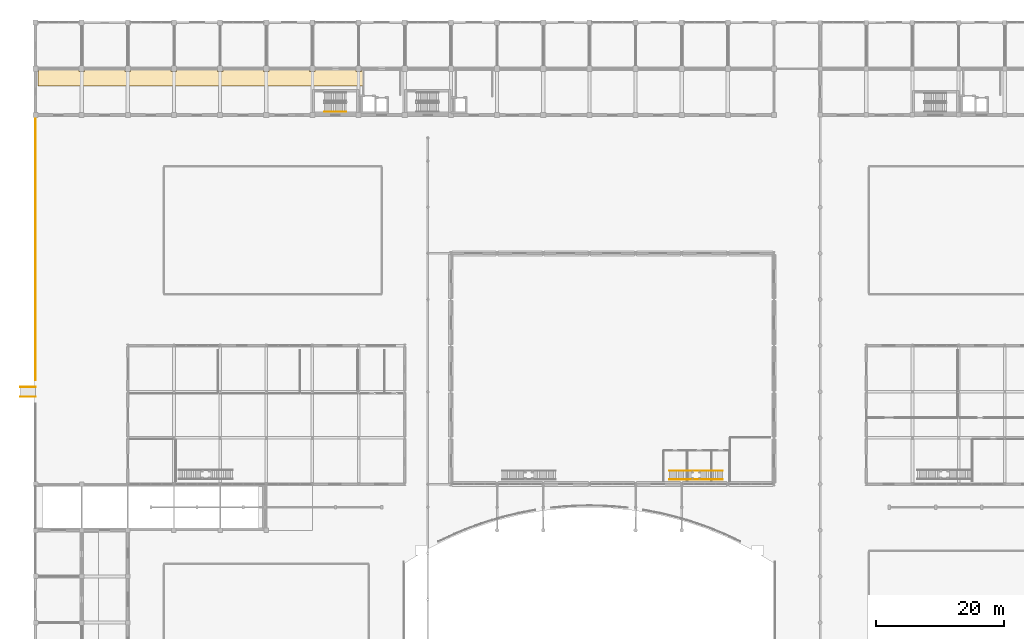
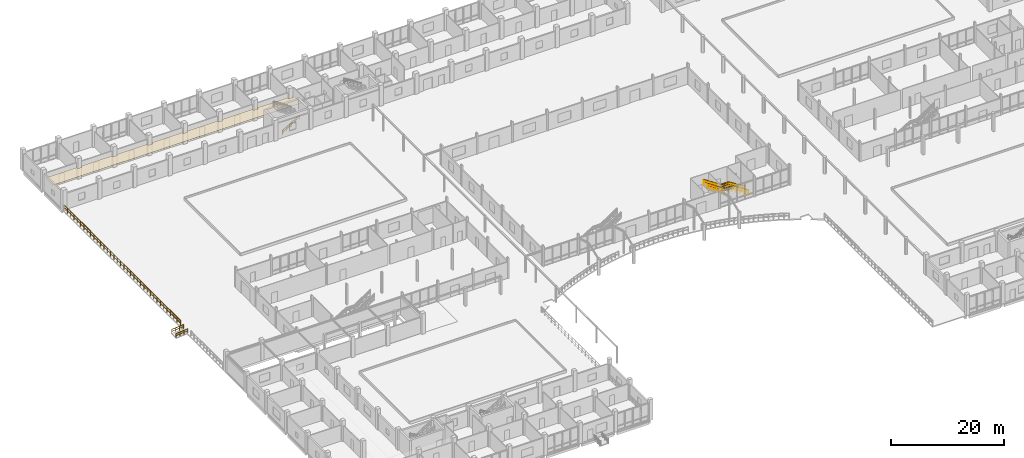
# One storey, part 133 of 139: 16 railings, 1 covering.
"""IFC4 building model written with IfcOpenShell, lengths in metres."""

import ifcopenshell
import ifcopenshell.guid

model = None  # the IFC model being written
_history = None  # IfcOwnerHistory: only IFC2X3 demands one
_inside = {}  # id of a spatial element -> (the spatial element, [elements in it])
_under = {}  # id of a project, library or spatial element -> (it, [spatial elements below it])
_declared = {}  # id of a project -> (the project, [libraries it declares])
_typed = {}  # id of a type object -> (the type object, [elements of that type])
_made_of = {}  # id of a material, layer set ... -> (it, [elements and type objects made of it])


def new_model(schema):
    """Start an empty IFC model of exactly this schema.

    Asked for "IFC4X3", IfcOpenShell would pick the latest addendum, in which some entities
    have other attributes; the version numbers below select the first issue.
    IFC2X3 requires an IfcOwnerHistory on every rooted entity: one is made here for all.
    """
    global model, _history
    if schema == "IFC4X3":
        model = ifcopenshell.file(schema_version=(4, 3, 0, 0))
    else:
        model = ifcopenshell.file(schema=schema)
    _inside.clear()
    _under.clear()
    _declared.clear()
    _typed.clear()
    _made_of.clear()
    _history = None
    if model.schema == "IFC2X3":
        org = make("IfcOrganization", Name="unknown")
        user = make(
            "IfcPersonAndOrganization",
            ThePerson=make("IfcPerson", FamilyName="unknown"),
            TheOrganization=org,
        )
        app = make(
            "IfcApplication",
            ApplicationDeveloper=org,
            Version="unknown",
            ApplicationFullName="unknown",
            ApplicationIdentifier="unknown",
        )
        _history = make(
            "IfcOwnerHistory",
            OwningUser=user,
            OwningApplication=app,
            ChangeAction="ADDED",
            CreationDate=0,
        )
    return model


def make(cls, **values):
    """One entity of the class cls with the attributes given. An attribute that is None is left unset."""
    return model.create_entity(
        cls, **{name: value for name, value in values.items() if value is not None}
    )


def rooted(cls, **values):
    """An entity with a GlobalId (a new one), such as an element, a storey or a relation."""
    return make(cls, GlobalId=ifcopenshell.guid.new(), OwnerHistory=_history, **values)


def si_unit(unit_type, name, prefix=None):
    """IfcSIUnit, for example si_unit("LENGTHUNIT", "METRE", prefix="MILLI")."""
    return make("IfcSIUnit", UnitType=unit_type, Prefix=prefix, Name=name)


def assignment(units):
    """IfcUnitAssignment: the units of a project."""
    return None if units is None else make("IfcUnitAssignment", Units=units)


def point(xyz):
    """IfcCartesianPoint."""
    return None if xyz is None else make("IfcCartesianPoint", Coordinates=xyz)


def direction(xyz):
    """IfcDirection."""
    return None if xyz is None else make("IfcDirection", DirectionRatios=xyz)


def frame(location, z_axis=None, x_axis=None):
    """IfcAxis2Placement3D, a coordinate frame: its origin and axes. An axis left out is left unset."""
    return make(
        "IfcAxis2Placement3D",
        Location=point(location),
        Axis=direction(z_axis),
        RefDirection=direction(x_axis),
    )


def frame_2d(location, x_axis=None):
    """IfcAxis2Placement2D, a coordinate frame in the plane: its origin and x axis."""
    return make(
        "IfcAxis2Placement2D", Location=point(location), RefDirection=direction(x_axis)
    )


def origin():
    """The frame at (0, 0, 0) with its axes left unset."""
    return frame((0.0, 0.0, 0.0))


def origin_2d():
    """The frame at (0, 0) in the plane with its x axis left unset."""
    return frame_2d((0.0, 0.0))


def place(relative_to, where):
    """IfcLocalPlacement: puts the frame where relative to a parent placement (None: the world)."""
    return make(
        "IfcLocalPlacement", PlacementRelTo=relative_to, RelativePlacement=where
    )


def context(
    kind, dimensions, precision=None, world=None, true_north=None, identifier=None
):
    """IfcGeometricRepresentationContext, for example the 3D "Model" context."""
    return make(
        "IfcGeometricRepresentationContext",
        ContextIdentifier=identifier,
        ContextType=kind,
        CoordinateSpaceDimension=dimensions,
        Precision=precision,
        WorldCoordinateSystem=world,
        TrueNorth=true_north,
    )


def subcontext(parent, identifier, kind, view, scale=None):
    """IfcGeometricRepresentationSubContext, for example "Body" below "Model"."""
    return make(
        "IfcGeometricRepresentationSubContext",
        ContextIdentifier=identifier,
        ContextType=kind,
        ParentContext=parent,
        TargetScale=scale,
        TargetView=view,
    )


def project(units=None, contexts=None):
    """IfcProject with its units and contexts."""
    return rooted(
        "IfcProject",
        Name="project",
        RepresentationContexts=contexts,
        UnitsInContext=assignment(units),
    )


def spatial(cls, under=None, at=None, **own):
    """A site, building, storey or space (cls), placed at a placement, below another one or the project."""
    s = rooted(cls, ObjectPlacement=at, **own)
    if under is not None:
        _under.setdefault(under.id(), (under, []))[1].append(s)
    return s


def polyline(points):
    """IfcPolyline through the points."""
    return make("IfcPolyline", Points=[point(p) for p in points])


def profile(cls, at=None, kind="AREA", **sizes):
    """A parametric profile (cls). Its sizes go by their IFC names, for example OverallWidth=200.0."""
    return make(cls, ProfileType=kind, Position=at, **sizes)


def rectangle(**sizes):
    """IfcRectangleProfileDef."""
    return profile("IfcRectangleProfileDef", **sizes)


def outline(outer, holes=None, kind="AREA"):
    """IfcArbitraryClosedProfileDef: a profile drawn as a closed curve; with holes, ...WithVoids."""
    if holes is None:
        return make("IfcArbitraryClosedProfileDef", ProfileType=kind, OuterCurve=outer)
    return make(
        "IfcArbitraryProfileDefWithVoids",
        ProfileType=kind,
        OuterCurve=outer,
        InnerCurves=holes,
    )


def extrude(swept, where, along, depth):
    """IfcExtrudedAreaSolid: the profile swept, set in the frame where, extruded along a direction by depth."""
    return make(
        "IfcExtrudedAreaSolid",
        SweptArea=swept,
        Position=where,
        ExtrudedDirection=direction(along),
        Depth=depth,
    )


def shape(context_of_items, identifier, shape_type, items):
    """IfcShapeRepresentation: the items that make up one representation, for example the "Body"."""
    return make(
        "IfcShapeRepresentation",
        ContextOfItems=context_of_items,
        RepresentationIdentifier=identifier,
        RepresentationType=shape_type,
        Items=items,
    )


def material(Name=None, Category=None):
    """IfcMaterial."""
    return make("IfcMaterial", Name=Name, Category=Category)


def layer(
    of_material, thickness, ventilated=None, Name=None, Category=None, Priority=None
):
    """IfcMaterialLayer: one layer of a wall or slab, of a material (None: an air gap)."""
    return make(
        "IfcMaterialLayer",
        Material=of_material,
        LayerThickness=thickness,
        IsVentilated=ventilated,
        Name=Name,
        Category=Category,
        Priority=Priority,
    )


def layer_set(layers, Name=None):
    """IfcMaterialLayerSet."""
    return make("IfcMaterialLayerSet", MaterialLayers=layers, LayerSetName=Name)


def made_of(thing, what):
    """Note that an element or type object is made of a material, layer set ...; save() writes the relation."""
    if what is not None:
        _made_of.setdefault(what.id(), (what, []))[1].append(thing)
    return thing


def type_object(cls, material=None, **own):
    """A type object (cls), such as IfcWallType, which elements share."""
    return made_of(rooted(cls, **own), material)


def element(
    cls,
    number,
    at=None,
    inside=None,
    cuts=None,
    type_object=None,
    material=None,
    context=None,
    identifier="Body",
    shape_type=None,
    held_by="IfcProductDefinitionShape",
    body=None,
    shapes=None,
    **own,
):
    """One element of the class cls, such as IfcWall. Its Tag is "e" and its number.

    at: its placement. inside: the storey or other place that contains it. cuts: it is an
    opening in that element (IfcRelVoidsElement). A single representation is given by context,
    identifier, shape_type and body (its items); several are given by shapes. held_by: the class
    of the entity that holds the representations. save() writes the other relations.
    """
    e = rooted(cls, Tag="e%d" % number, ObjectPlacement=at, **own)
    if body is not None:
        shapes = [shape(context, identifier, shape_type, body)]
    if shapes is not None:
        e.Representation = make(held_by, Representations=shapes)
    if inside is not None:
        _inside.setdefault(inside.id(), (inside, []))[1].append(e)
    if cuts is not None:
        rooted(
            "IfcRelVoidsElement", RelatingBuildingElement=cuts, RelatedOpeningElement=e
        )
    if type_object is not None:
        _typed.setdefault(type_object.id(), (type_object, []))[1].append(e)
    return made_of(e, material)


def aggregate(whole, parts):
    """IfcRelAggregates: a whole, such as a stair, and the parts it consists of."""
    return rooted("IfcRelAggregates", RelatingObject=whole, RelatedObjects=parts)


def save(model, path):
    """Write the relations noted so far, then the file.

    IfcRelAggregates (storeys below a building ...), IfcRelContainedInSpatialStructure (elements
    in a storey), IfcRelDefinesByType, IfcRelAssociatesMaterial and IfcRelDeclares: one each for
    every whole, place, type object, material and project.
    """
    for whole, parts in _under.values():
        aggregate(whole, parts)
    for where, things in _inside.values():
        rooted(
            "IfcRelContainedInSpatialStructure",
            RelatedElements=things,
            RelatingStructure=where,
        )
    for kind, things in _typed.values():
        rooted("IfcRelDefinesByType", RelatedObjects=things, RelatingType=kind)
    for what, things in _made_of.values():
        rooted("IfcRelAssociatesMaterial", RelatedObjects=things, RelatingMaterial=what)
    for by, libraries in _declared.values():
        rooted("IfcRelDeclares", RelatingContext=by, RelatedDefinitions=libraries)
    model.write(path)


model = new_model("IFC4")

# Units and contexts
model_context = context("Model", 3, precision=1e-05, world=origin(), true_north=direction((0.0, 1.0)))
body_context = subcontext(model_context, "Body", "Model", "MODEL_VIEW")
ifc_project = project(units=[si_unit("LENGTHUNIT", "METRE"), si_unit("AREAUNIT", "SQUARE_METRE"), si_unit("VOLUMEUNIT", "CUBIC_METRE"), si_unit("PLANEANGLEUNIT", "RADIAN"), si_unit("MASSUNIT", "GRAM", prefix="KILO")], contexts=[model_context])

# Site, building, storey
site_placement = place(None, origin())
site = spatial("IfcSite", under=ifc_project, at=site_placement, CompositionType="ELEMENT")
building_placement = place(site_placement, origin())
building = spatial("IfcBuilding", under=site, at=building_placement, Name="Suanplinth Sawtooth Commons", CompositionType="ELEMENT")
storey_placement = place(building_placement, origin())
storey = spatial("IfcBuildingStorey", under=building, at=storey_placement, Name="L00", CompositionType="ELEMENT", Elevation=0.0)

# Covering
ifc_material_1 = material(Name="Mineral fibre acoustic tile")
ifc_layer = layer(ifc_material_1, 0.0400390625, Name="Perforated mineral-fibre acoustic suspended ceiling")
ifc_layer_set = layer_set([ifc_layer], Name="Mineral fibre acoustic tile")
covering_type = type_object("IfcCoveringType", Name="CV-CE01", PredefinedType="CEILING", material=ifc_layer_set)
covering_placement = place(storey_placement, frame((0.0, 0.0, 2.3798828125)))
element("IfcCovering", 1, at=covering_placement, inside=storey, type_object=covering_type, Name="L00 Block A Corridor Acoustic Ceiling", PredefinedType="CEILING", context=body_context, shape_type="SweptSolid", body=[
    extrude(outline(polyline([(0.360107421875, 112.5), (0.360107421875, 114.77001953125), (0.429931640625, 114.77001953125), (0.429931640625, 115.1201171875), (6.77001953125, 115.1201171875), (6.77001953125, 114.77001953125), (7.6298828125, 114.77001953125), (7.6298828125, 115.1201171875), (13.969970703125, 115.1201171875), (13.969970703125, 114.77001953125), (14.830078125, 114.77001953125), (14.830078125, 115.1201171875), (21.169921875, 115.1201171875), (21.169921875, 114.77001953125), (22.030029296875, 114.77001953125), (22.030029296875, 115.1201171875), (28.3701171875, 115.1201171875), (28.3701171875, 114.77001953125), (29.22998046875, 114.77001953125), (29.22998046875, 115.1201171875), (35.570068359375, 115.1201171875), (35.570068359375, 114.77001953125), (36.429931640625, 114.77001953125), (36.429931640625, 115.1201171875), (42.77001953125, 115.1201171875), (42.77001953125, 114.77001953125), (43.6298828125, 114.77001953125), (43.6298828125, 115.1201171875), (49.969970703125, 115.1201171875), (49.969970703125, 114.77001953125), (50.830078125, 114.77001953125), (50.830078125, 115.1201171875), (51.080078125, 115.1201171875), (51.080078125, 112.5), (0.360107421875, 112.5)])), origin(), (0.0, 0.0, 1.0), 0.0400390625),
])

# Railings
ifc_material_2 = material(Name="Powder-coated galvanized steel", Category="steel")
railing_type_1 = type_object("IfcRailingType", Name="GR-01", PredefinedType="BALUSTRADE", material=ifc_material_2)
railing_1_placement = place(storey_placement, frame((0.0, 66.64990234375, 0.0)))
element("IfcRailing", 2, at=railing_1_placement, inside=storey, type_object=railing_type_1, Name="Perimeter Plinth Balustrade RLG-PLZ-W3", PredefinedType="BALUSTRADE", context=body_context, shape_type="SweptSolid", body=[
    extrude(rectangle(XDim=0.048095703125, YDim=0.048095703125, at=origin_2d()), frame((0.0, 0.0, 1.09619140625), z_axis=(0.0, 1.0, 0.0), x_axis=(-1.0, 0.0, 0.0)), (0.0, 0.0, 1.0), 41.25),
    extrude(rectangle(XDim=0.03369140625, YDim=0.03369140625, at=origin_2d()), frame((0.0, 0.0, 0.56005859375), z_axis=(0.0, 1.0, 0.0), x_axis=(-1.0, 0.0, 0.0)), (0.0, 0.0, 1.0), 41.25),
    extrude(rectangle(XDim=0.0419921875, YDim=0.0419921875, at=origin_2d()), origin(), (0.0, 0.0, 1.0), 1.072021484375),
    extrude(rectangle(XDim=0.0419921875, YDim=0.0419921875, at=origin_2d()), frame((0.0, 1.178466796875, 0.0)), (0.0, 0.0, 1.0), 1.072021484375),
    extrude(rectangle(XDim=0.0419921875, YDim=0.0419921875, at=origin_2d()), frame((0.0, 2.357177734375, 0.0)), (0.0, 0.0, 1.0), 1.072021484375),
    extrude(rectangle(XDim=0.0419921875, YDim=0.0419921875, at=origin_2d()), frame((0.0, 3.53564453125, 0.0)), (0.0, 0.0, 1.0), 1.072021484375),
    extrude(rectangle(XDim=0.0419921875, YDim=0.0419921875, at=origin_2d()), frame((0.0, 4.71435546875, 0.0)), (0.0, 0.0, 1.0), 1.072021484375),
    extrude(rectangle(XDim=0.0419921875, YDim=0.0419921875, at=origin_2d()), frame((0.0, 5.892822265625, 0.0)), (0.0, 0.0, 1.0), 1.072021484375),
    extrude(rectangle(XDim=0.0419921875, YDim=0.0419921875, at=origin_2d()), frame((0.0, 7.071533203125, 0.0)), (0.0, 0.0, 1.0), 1.072021484375),
    extrude(rectangle(XDim=0.0419921875, YDim=0.0419921875, at=origin_2d()), frame((0.0, 8.25, 0.0)), (0.0, 0.0, 1.0), 1.072021484375),
    extrude(rectangle(XDim=0.0419921875, YDim=0.0419921875, at=origin_2d()), frame((0.0, 9.428466796875, 0.0)), (0.0, 0.0, 1.0), 1.072021484375),
    extrude(rectangle(XDim=0.0419921875, YDim=0.0419921875, at=origin_2d()), frame((0.0, 10.607177734375, 0.0)), (0.0, 0.0, 1.0), 1.072021484375),
    extrude(rectangle(XDim=0.0419921875, YDim=0.0419921875, at=origin_2d()), frame((0.0, 11.78564453125, 0.0)), (0.0, 0.0, 1.0), 1.072021484375),
    extrude(rectangle(XDim=0.0419921875, YDim=0.0419921875, at=origin_2d()), frame((0.0, 12.96435546875, 0.0)), (0.0, 0.0, 1.0), 1.072021484375),
    extrude(rectangle(XDim=0.0419921875, YDim=0.0419921875, at=origin_2d()), frame((0.0, 14.142822265625, 0.0)), (0.0, 0.0, 1.0), 1.072021484375),
    extrude(rectangle(XDim=0.0419921875, YDim=0.0419921875, at=origin_2d()), frame((0.0, 15.321533203125, 0.0)), (0.0, 0.0, 1.0), 1.072021484375),
    extrude(rectangle(XDim=0.0419921875, YDim=0.0419921875, at=origin_2d()), frame((0.0, 16.5, 0.0)), (0.0, 0.0, 1.0), 1.072021484375),
    extrude(rectangle(XDim=0.0419921875, YDim=0.0419921875, at=origin_2d()), frame((0.0, 17.678466796875, 0.0)), (0.0, 0.0, 1.0), 1.072021484375),
    extrude(rectangle(XDim=0.0419921875, YDim=0.0419921875, at=origin_2d()), frame((0.0, 18.857177734375, 0.0)), (0.0, 0.0, 1.0), 1.072021484375),
    extrude(rectangle(XDim=0.0419921875, YDim=0.0419921875, at=origin_2d()), frame((0.0, 20.03564453125, 0.0)), (0.0, 0.0, 1.0), 1.072021484375),
    extrude(rectangle(XDim=0.0419921875, YDim=0.0419921875, at=origin_2d()), frame((0.0, 21.21435546875, 0.0)), (0.0, 0.0, 1.0), 1.072021484375),
    extrude(rectangle(XDim=0.0419921875, YDim=0.0419921875, at=origin_2d()), frame((0.0, 22.392822265625, 0.0)), (0.0, 0.0, 1.0), 1.072021484375),
    extrude(rectangle(XDim=0.0419921875, YDim=0.0419921875, at=origin_2d()), frame((0.0, 23.571533203125, 0.0)), (0.0, 0.0, 1.0), 1.072021484375),
    extrude(rectangle(XDim=0.0419921875, YDim=0.0419921875, at=origin_2d()), frame((0.0, 24.75, 0.0)), (0.0, 0.0, 1.0), 1.072021484375),
    extrude(rectangle(XDim=0.0419921875, YDim=0.0419921875, at=origin_2d()), frame((0.0, 25.928466796875, 0.0)), (0.0, 0.0, 1.0), 1.072021484375),
    extrude(rectangle(XDim=0.0419921875, YDim=0.0419921875, at=origin_2d()), frame((0.0, 27.107177734375, 0.0)), (0.0, 0.0, 1.0), 1.072021484375),
    extrude(rectangle(XDim=0.0419921875, YDim=0.0419921875, at=origin_2d()), frame((0.0, 28.28564453125, 0.0)), (0.0, 0.0, 1.0), 1.072021484375),
    extrude(rectangle(XDim=0.0419921875, YDim=0.0419921875, at=origin_2d()), frame((0.0, 29.46435546875, 0.0)), (0.0, 0.0, 1.0), 1.072021484375),
    extrude(rectangle(XDim=0.0419921875, YDim=0.0419921875, at=origin_2d()), frame((0.0, 30.642822265625, 0.0)), (0.0, 0.0, 1.0), 1.072021484375),
    extrude(rectangle(XDim=0.0419921875, YDim=0.0419921875, at=origin_2d()), frame((0.0, 31.821533203125, 0.0)), (0.0, 0.0, 1.0), 1.072021484375),
    extrude(rectangle(XDim=0.0419921875, YDim=0.0419921875, at=origin_2d()), frame((0.0, 33.0, 0.0)), (0.0, 0.0, 1.0), 1.072021484375),
    extrude(rectangle(XDim=0.0419921875, YDim=0.0419921875, at=origin_2d()), frame((0.0, 34.178466796875, 0.0)), (0.0, 0.0, 1.0), 1.072021484375),
    extrude(rectangle(XDim=0.0419921875, YDim=0.0419921875, at=origin_2d()), frame((0.0, 35.357177734375, 0.0)), (0.0, 0.0, 1.0), 1.072021484375),
    extrude(rectangle(XDim=0.0419921875, YDim=0.0419921875, at=origin_2d()), frame((0.0, 36.53564453125, 0.0)), (0.0, 0.0, 1.0), 1.072021484375),
    extrude(rectangle(XDim=0.0419921875, YDim=0.0419921875, at=origin_2d()), frame((0.0, 37.71435546875, 0.0)), (0.0, 0.0, 1.0), 1.072021484375),
    extrude(rectangle(XDim=0.0419921875, YDim=0.0419921875, at=origin_2d()), frame((0.0, 38.892822265625, 0.0)), (0.0, 0.0, 1.0), 1.072021484375),
    extrude(rectangle(XDim=0.0419921875, YDim=0.0419921875, at=origin_2d()), frame((0.0, 40.071533203125, 0.0)), (0.0, 0.0, 1.0), 1.072021484375),
    extrude(rectangle(XDim=0.0419921875, YDim=0.0419921875, at=origin_2d()), frame((0.0, 41.25, 0.0)), (0.0, 0.0, 1.0), 1.072021484375),
])
ifc_material_3 = material(Name="Stainless steel Grade 304", Category="steel")
railing_type_2 = type_object("IfcRailingType", Name="GR-04", PredefinedType="GUARDRAIL", material=ifc_material_3)
railing_2_placement = place(storey_placement, frame((107.199951171875, 51.10009765625, 0.173095703125)))
element("IfcRailing", 3, at=railing_2_placement, inside=storey, type_object=railing_type_2, Name="Community Hall East Gallery Stair Guard 1-1", PredefinedType="GUARDRAIL", context=body_context, shape_type="SweptSolid", body=[
    extrude(rectangle(XDim=0.048095703125, YDim=0.048095703125, at=origin_2d()), frame((0.0, 0.0, 1.076171875), z_axis=(-0.850606129759, 0.0, 0.525803396734), x_axis=(0.0, -1.0, 0.0)), (0.0, 0.0, 1.0), 3.949951171875),
    extrude(rectangle(XDim=0.03369140625, YDim=0.03369140625, at=origin_2d()), frame((0.0, 0.0, 0.550048828125), z_axis=(-0.850606129759, 0.0, 0.525803396734), x_axis=(0.0, -1.0, 0.0)), (0.0, 0.0, 1.0), 3.949951171875),
    extrude(rectangle(XDim=0.0419921875, YDim=0.0419921875, at=origin_2d()), origin(), (0.0, 0.0, 1.0), 1.052001953125),
    extrude(rectangle(XDim=0.0419921875, YDim=0.0419921875, at=origin_2d()), frame((-0.83984375, 0.0, 0.519287109375)), (0.0, 0.0, 1.0), 1.052001953125),
    extrude(rectangle(XDim=0.0419921875, YDim=0.0419921875, at=origin_2d()), frame((-1.679931640625, 0.0, 1.03857421875)), (0.0, 0.0, 1.0), 1.052001953125),
    extrude(rectangle(XDim=0.0419921875, YDim=0.0419921875, at=origin_2d()), frame((-2.52001953125, 0.0, 1.5576171875)), (0.0, 0.0, 1.0), 1.052001953125),
    extrude(rectangle(XDim=0.0419921875, YDim=0.0419921875, at=origin_2d()), frame((-3.35986328125, 0.0, 2.076904296875)), (0.0, 0.0, 1.0), 1.052001953125),
])
railing_3_placement = place(storey_placement, frame((103.840087890625, 51.10009765625, 2.25)))
element("IfcRailing", 4, at=railing_3_placement, inside=storey, type_object=railing_type_2, Name="Community Hall East Gallery Stair Guard 1-2", PredefinedType="GUARDRAIL", context=body_context, shape_type="SweptSolid", body=[
    extrude(rectangle(XDim=0.048095703125, YDim=0.048095703125, at=origin_2d()), frame((0.0, 0.0, 1.076171875), z_axis=(-1.0, 0.0, 0.0), x_axis=(0.0, -1.0, 0.0)), (0.0, 0.0, 1.0), 1.60009765625),
    extrude(rectangle(XDim=0.03369140625, YDim=0.03369140625, at=origin_2d()), frame((0.0, 0.0, 0.550048828125), z_axis=(-1.0, 0.0, 0.0), x_axis=(0.0, -1.0, 0.0)), (0.0, 0.0, 1.0), 1.60009765625),
    extrude(rectangle(XDim=0.0419921875, YDim=0.0419921875, at=origin_2d()), origin(), (0.0, 0.0, 1.0), 1.052001953125),
    extrude(rectangle(XDim=0.0419921875, YDim=0.0419921875, at=origin_2d()), frame((-0.800048828125, 0.0, 0.0)), (0.0, 0.0, 1.0), 1.052001953125),
    extrude(rectangle(XDim=0.0419921875, YDim=0.0419921875, at=origin_2d()), frame((-1.60009765625, 0.0, 0.0)), (0.0, 0.0, 1.0), 1.052001953125),
])
railing_4_placement = place(storey_placement, frame((102.239990234375, 51.10009765625, 2.25)))
element("IfcRailing", 5, at=railing_4_placement, inside=storey, type_object=railing_type_2, Name="Community Hall East Gallery Stair Guard 1-3", PredefinedType="GUARDRAIL", context=body_context, shape_type="SweptSolid", body=[
    extrude(rectangle(XDim=0.048095703125, YDim=0.048095703125, at=origin_2d()), frame((0.0, 0.0, 1.076171875), z_axis=(-0.830915400975, 0.0, 0.556398774641), x_axis=(0.0, -1.0, 0.0)), (0.0, 0.0, 1.0), 4.0439453125),
    extrude(rectangle(XDim=0.03369140625, YDim=0.03369140625, at=origin_2d()), frame((0.0, 0.0, 0.550048828125), z_axis=(-0.830915400975, 0.0, 0.556398774641), x_axis=(0.0, -1.0, 0.0)), (0.0, 0.0, 1.0), 4.0439453125),
    extrude(rectangle(XDim=0.0419921875, YDim=0.0419921875, at=origin_2d()), origin(), (0.0, 0.0, 1.0), 1.052001953125),
    extrude(rectangle(XDim=0.0419921875, YDim=0.0419921875, at=origin_2d()), frame((-0.840087890625, 0.0, 0.5625)), (0.0, 0.0, 1.0), 1.052001953125),
    extrude(rectangle(XDim=0.0419921875, YDim=0.0419921875, at=origin_2d()), frame((-1.68017578125, 0.0, 1.125)), (0.0, 0.0, 1.0), 1.052001953125),
    extrude(rectangle(XDim=0.0419921875, YDim=0.0419921875, at=origin_2d()), frame((-2.52001953125, 0.0, 1.6875)), (0.0, 0.0, 1.0), 1.052001953125),
    extrude(rectangle(XDim=0.0419921875, YDim=0.0419921875, at=origin_2d()), frame((-3.360107421875, 0.0, 2.25)), (0.0, 0.0, 1.0), 1.052001953125),
])
railing_5_placement = place(storey_placement, frame((107.199951171875, 52.5, 0.173095703125)))
element("IfcRailing", 6, at=railing_5_placement, inside=storey, type_object=railing_type_2, Name="Community Hall East Gallery Stair Guard 2-1", PredefinedType="GUARDRAIL", context=body_context, shape_type="SweptSolid", body=[
    extrude(rectangle(XDim=0.048095703125, YDim=0.048095703125, at=origin_2d()), frame((0.0, 0.0, 1.076171875), z_axis=(-0.850606129759, 0.0, 0.525803396734), x_axis=(0.0, -1.0, 0.0)), (0.0, 0.0, 1.0), 3.949951171875),
    extrude(rectangle(XDim=0.03369140625, YDim=0.03369140625, at=origin_2d()), frame((0.0, 0.0, 0.550048828125), z_axis=(-0.850606129759, 0.0, 0.525803396734), x_axis=(0.0, -1.0, 0.0)), (0.0, 0.0, 1.0), 3.949951171875),
    extrude(rectangle(XDim=0.0419921875, YDim=0.0419921875, at=origin_2d()), origin(), (0.0, 0.0, 1.0), 1.052001953125),
    extrude(rectangle(XDim=0.0419921875, YDim=0.0419921875, at=origin_2d()), frame((-0.83984375, 0.0, 0.519287109375)), (0.0, 0.0, 1.0), 1.052001953125),
    extrude(rectangle(XDim=0.0419921875, YDim=0.0419921875, at=origin_2d()), frame((-1.679931640625, 0.0, 1.03857421875)), (0.0, 0.0, 1.0), 1.052001953125),
    extrude(rectangle(XDim=0.0419921875, YDim=0.0419921875, at=origin_2d()), frame((-2.52001953125, 0.0, 1.5576171875)), (0.0, 0.0, 1.0), 1.052001953125),
    extrude(rectangle(XDim=0.0419921875, YDim=0.0419921875, at=origin_2d()), frame((-3.35986328125, 0.0, 2.076904296875)), (0.0, 0.0, 1.0), 1.052001953125),
])
railing_6_placement = place(storey_placement, frame((103.840087890625, 52.5, 2.25)))
element("IfcRailing", 7, at=railing_6_placement, inside=storey, type_object=railing_type_2, Name="Community Hall East Gallery Stair Guard 2-2", PredefinedType="GUARDRAIL", context=body_context, shape_type="SweptSolid", body=[
    extrude(rectangle(XDim=0.048095703125, YDim=0.048095703125, at=origin_2d()), frame((0.0, 0.0, 1.076171875), z_axis=(-1.0, 0.0, 0.0), x_axis=(0.0, -1.0, 0.0)), (0.0, 0.0, 1.0), 1.60009765625),
    extrude(rectangle(XDim=0.03369140625, YDim=0.03369140625, at=origin_2d()), frame((0.0, 0.0, 0.550048828125), z_axis=(-1.0, 0.0, 0.0), x_axis=(0.0, -1.0, 0.0)), (0.0, 0.0, 1.0), 1.60009765625),
    extrude(rectangle(XDim=0.0419921875, YDim=0.0419921875, at=origin_2d()), origin(), (0.0, 0.0, 1.0), 1.052001953125),
    extrude(rectangle(XDim=0.0419921875, YDim=0.0419921875, at=origin_2d()), frame((-0.800048828125, 0.0, 0.0)), (0.0, 0.0, 1.0), 1.052001953125),
    extrude(rectangle(XDim=0.0419921875, YDim=0.0419921875, at=origin_2d()), frame((-1.60009765625, 0.0, 0.0)), (0.0, 0.0, 1.0), 1.052001953125),
])
railing_7_placement = place(storey_placement, frame((102.239990234375, 52.5, 2.25)))
element("IfcRailing", 8, at=railing_7_placement, inside=storey, type_object=railing_type_2, Name="Community Hall East Gallery Stair Guard 2-3", PredefinedType="GUARDRAIL", context=body_context, shape_type="SweptSolid", body=[
    extrude(rectangle(XDim=0.048095703125, YDim=0.048095703125, at=origin_2d()), frame((0.0, 0.0, 1.076171875), z_axis=(-0.830915400975, 0.0, 0.556398774641), x_axis=(0.0, -1.0, 0.0)), (0.0, 0.0, 1.0), 4.0439453125),
    extrude(rectangle(XDim=0.03369140625, YDim=0.03369140625, at=origin_2d()), frame((0.0, 0.0, 0.550048828125), z_axis=(-0.830915400975, 0.0, 0.556398774641), x_axis=(0.0, -1.0, 0.0)), (0.0, 0.0, 1.0), 4.0439453125),
    extrude(rectangle(XDim=0.0419921875, YDim=0.0419921875, at=origin_2d()), origin(), (0.0, 0.0, 1.0), 1.052001953125),
    extrude(rectangle(XDim=0.0419921875, YDim=0.0419921875, at=origin_2d()), frame((-0.840087890625, 0.0, 0.5625)), (0.0, 0.0, 1.0), 1.052001953125),
    extrude(rectangle(XDim=0.0419921875, YDim=0.0419921875, at=origin_2d()), frame((-1.68017578125, 0.0, 1.125)), (0.0, 0.0, 1.0), 1.052001953125),
    extrude(rectangle(XDim=0.0419921875, YDim=0.0419921875, at=origin_2d()), frame((-2.52001953125, 0.0, 1.6875)), (0.0, 0.0, 1.0), 1.052001953125),
    extrude(rectangle(XDim=0.0419921875, YDim=0.0419921875, at=origin_2d()), frame((-3.360107421875, 0.0, 2.25)), (0.0, 0.0, 1.0), 1.052001953125),
])
railing_type_3 = type_object("IfcRailingType", Name="HR-01", PredefinedType="HANDRAIL", material=ifc_material_3)
railing_8_placement = place(storey_placement, frame((45.050048828125, 108.5, 0.173095703125)))
element("IfcRailing", 9, at=railing_8_placement, inside=storey, type_object=railing_type_3, Name="L00 ST-N1 Handrail 1", PredefinedType="HANDRAIL", context=body_context, shape_type="SweptSolid", body=[
    extrude(rectangle(XDim=0.048095703125, YDim=0.048095703125, at=origin_2d()), frame((0.0, 0.0, 0.8759765625), z_axis=(0.854729506542, 0.0, 0.519073665916), x_axis=(0.0, 1.0, 0.0)), (0.0, 0.0, 1.0), 4.001220703125),
    extrude(rectangle(XDim=0.03369140625, YDim=0.03369140625, at=origin_2d()), frame((0.0, 0.0, 0.449951171875), z_axis=(0.854729506542, 0.0, 0.519073665916), x_axis=(0.0, 1.0, 0.0)), (0.0, 0.0, 1.0), 4.001220703125),
    extrude(rectangle(XDim=0.0419921875, YDim=0.0419921875, at=origin_2d()), origin(), (0.0, 0.0, 1.0), 0.851806640625),
    extrude(rectangle(XDim=0.0419921875, YDim=0.0419921875, at=origin_2d()), frame((0.85498046875, 0.0, 0.519287109375)), (0.0, 0.0, 1.0), 0.851806640625),
    extrude(rectangle(XDim=0.0419921875, YDim=0.0419921875, at=origin_2d()), frame((1.7099609375, 0.0, 1.03857421875)), (0.0, 0.0, 1.0), 0.851806640625),
    extrude(rectangle(XDim=0.0419921875, YDim=0.0419921875, at=origin_2d()), frame((2.56494140625, 0.0, 1.5576171875)), (0.0, 0.0, 1.0), 0.851806640625),
    extrude(rectangle(XDim=0.0419921875, YDim=0.0419921875, at=origin_2d()), frame((3.419921875, 0.0, 2.076904296875)), (0.0, 0.0, 1.0), 0.851806640625),
])
railing_9_placement = place(storey_placement, frame((107.199951171875, 51.10009765625, 0.173095703125)))
element("IfcRailing", 10, at=railing_9_placement, inside=storey, type_object=railing_type_3, Name="Community Hall East Gallery Stair Handrail 1-1", PredefinedType="HANDRAIL", context=body_context, shape_type="SweptSolid", body=[
    extrude(rectangle(XDim=0.048095703125, YDim=0.048095703125, at=origin_2d()), frame((0.0, 0.0, 0.8759765625), z_axis=(-0.850606129759, 0.0, 0.525803396734), x_axis=(0.0, -1.0, 0.0)), (0.0, 0.0, 1.0), 3.949951171875),
    extrude(rectangle(XDim=0.03369140625, YDim=0.03369140625, at=origin_2d()), frame((0.0, 0.0, 0.449951171875), z_axis=(-0.850606129759, 0.0, 0.525803396734), x_axis=(0.0, -1.0, 0.0)), (0.0, 0.0, 1.0), 3.949951171875),
    extrude(rectangle(XDim=0.0419921875, YDim=0.0419921875, at=origin_2d()), origin(), (0.0, 0.0, 1.0), 0.851806640625),
    extrude(rectangle(XDim=0.0419921875, YDim=0.0419921875, at=origin_2d()), frame((-0.83984375, 0.0, 0.519287109375)), (0.0, 0.0, 1.0), 0.851806640625),
    extrude(rectangle(XDim=0.0419921875, YDim=0.0419921875, at=origin_2d()), frame((-1.679931640625, 0.0, 1.03857421875)), (0.0, 0.0, 1.0), 0.851806640625),
    extrude(rectangle(XDim=0.0419921875, YDim=0.0419921875, at=origin_2d()), frame((-2.52001953125, 0.0, 1.5576171875)), (0.0, 0.0, 1.0), 0.851806640625),
    extrude(rectangle(XDim=0.0419921875, YDim=0.0419921875, at=origin_2d()), frame((-3.35986328125, 0.0, 2.076904296875)), (0.0, 0.0, 1.0), 0.851806640625),
])
railing_10_placement = place(storey_placement, frame((103.840087890625, 51.10009765625, 2.25)))
element("IfcRailing", 11, at=railing_10_placement, inside=storey, type_object=railing_type_3, Name="Community Hall East Gallery Stair Handrail 1-2", PredefinedType="HANDRAIL", context=body_context, shape_type="SweptSolid", body=[
    extrude(rectangle(XDim=0.048095703125, YDim=0.048095703125, at=origin_2d()), frame((0.0, 0.0, 0.8759765625), z_axis=(-1.0, 0.0, 0.0), x_axis=(0.0, -1.0, 0.0)), (0.0, 0.0, 1.0), 1.60009765625),
    extrude(rectangle(XDim=0.03369140625, YDim=0.03369140625, at=origin_2d()), frame((0.0, 0.0, 0.449951171875), z_axis=(-1.0, 0.0, 0.0), x_axis=(0.0, -1.0, 0.0)), (0.0, 0.0, 1.0), 1.60009765625),
    extrude(rectangle(XDim=0.0419921875, YDim=0.0419921875, at=origin_2d()), origin(), (0.0, 0.0, 1.0), 0.851806640625),
    extrude(rectangle(XDim=0.0419921875, YDim=0.0419921875, at=origin_2d()), frame((-0.800048828125, 0.0, 0.0)), (0.0, 0.0, 1.0), 0.851806640625),
    extrude(rectangle(XDim=0.0419921875, YDim=0.0419921875, at=origin_2d()), frame((-1.60009765625, 0.0, 0.0)), (0.0, 0.0, 1.0), 0.851806640625),
])
railing_11_placement = place(storey_placement, frame((102.239990234375, 51.10009765625, 2.25)))
element("IfcRailing", 12, at=railing_11_placement, inside=storey, type_object=railing_type_3, Name="Community Hall East Gallery Stair Handrail 1-3", PredefinedType="HANDRAIL", context=body_context, shape_type="SweptSolid", body=[
    extrude(rectangle(XDim=0.048095703125, YDim=0.048095703125, at=origin_2d()), frame((0.0, 0.0, 0.8759765625), z_axis=(-0.830915400975, 0.0, 0.556398774641), x_axis=(0.0, -1.0, 0.0)), (0.0, 0.0, 1.0), 4.0439453125),
    extrude(rectangle(XDim=0.03369140625, YDim=0.03369140625, at=origin_2d()), frame((0.0, 0.0, 0.449951171875), z_axis=(-0.830915400975, 0.0, 0.556398774641), x_axis=(0.0, -1.0, 0.0)), (0.0, 0.0, 1.0), 4.0439453125),
    extrude(rectangle(XDim=0.0419921875, YDim=0.0419921875, at=origin_2d()), origin(), (0.0, 0.0, 1.0), 0.851806640625),
    extrude(rectangle(XDim=0.0419921875, YDim=0.0419921875, at=origin_2d()), frame((-0.840087890625, 0.0, 0.5625)), (0.0, 0.0, 1.0), 0.851806640625),
    extrude(rectangle(XDim=0.0419921875, YDim=0.0419921875, at=origin_2d()), frame((-1.68017578125, 0.0, 1.125)), (0.0, 0.0, 1.0), 0.851806640625),
    extrude(rectangle(XDim=0.0419921875, YDim=0.0419921875, at=origin_2d()), frame((-2.52001953125, 0.0, 1.6875)), (0.0, 0.0, 1.0), 0.851806640625),
    extrude(rectangle(XDim=0.0419921875, YDim=0.0419921875, at=origin_2d()), frame((-3.360107421875, 0.0, 2.25)), (0.0, 0.0, 1.0), 0.851806640625),
])
railing_12_placement = place(storey_placement, frame((107.199951171875, 52.5, 0.173095703125)))
element("IfcRailing", 13, at=railing_12_placement, inside=storey, type_object=railing_type_3, Name="Community Hall East Gallery Stair Handrail 2-1", PredefinedType="HANDRAIL", context=body_context, shape_type="SweptSolid", body=[
    extrude(rectangle(XDim=0.048095703125, YDim=0.048095703125, at=origin_2d()), frame((0.0, 0.0, 0.8759765625), z_axis=(-0.850606129759, 0.0, 0.525803396734), x_axis=(0.0, -1.0, 0.0)), (0.0, 0.0, 1.0), 3.949951171875),
    extrude(rectangle(XDim=0.03369140625, YDim=0.03369140625, at=origin_2d()), frame((0.0, 0.0, 0.449951171875), z_axis=(-0.850606129759, 0.0, 0.525803396734), x_axis=(0.0, -1.0, 0.0)), (0.0, 0.0, 1.0), 3.949951171875),
    extrude(rectangle(XDim=0.0419921875, YDim=0.0419921875, at=origin_2d()), origin(), (0.0, 0.0, 1.0), 0.851806640625),
    extrude(rectangle(XDim=0.0419921875, YDim=0.0419921875, at=origin_2d()), frame((-0.83984375, 0.0, 0.519287109375)), (0.0, 0.0, 1.0), 0.851806640625),
    extrude(rectangle(XDim=0.0419921875, YDim=0.0419921875, at=origin_2d()), frame((-1.679931640625, 0.0, 1.03857421875)), (0.0, 0.0, 1.0), 0.851806640625),
    extrude(rectangle(XDim=0.0419921875, YDim=0.0419921875, at=origin_2d()), frame((-2.52001953125, 0.0, 1.5576171875)), (0.0, 0.0, 1.0), 0.851806640625),
    extrude(rectangle(XDim=0.0419921875, YDim=0.0419921875, at=origin_2d()), frame((-3.35986328125, 0.0, 2.076904296875)), (0.0, 0.0, 1.0), 0.851806640625),
])
railing_13_placement = place(storey_placement, frame((103.840087890625, 52.5, 2.25)))
element("IfcRailing", 14, at=railing_13_placement, inside=storey, type_object=railing_type_3, Name="Community Hall East Gallery Stair Handrail 2-2", PredefinedType="HANDRAIL", context=body_context, shape_type="SweptSolid", body=[
    extrude(rectangle(XDim=0.048095703125, YDim=0.048095703125, at=origin_2d()), frame((0.0, 0.0, 0.8759765625), z_axis=(-1.0, 0.0, 0.0), x_axis=(0.0, -1.0, 0.0)), (0.0, 0.0, 1.0), 1.60009765625),
    extrude(rectangle(XDim=0.03369140625, YDim=0.03369140625, at=origin_2d()), frame((0.0, 0.0, 0.449951171875), z_axis=(-1.0, 0.0, 0.0), x_axis=(0.0, -1.0, 0.0)), (0.0, 0.0, 1.0), 1.60009765625),
    extrude(rectangle(XDim=0.0419921875, YDim=0.0419921875, at=origin_2d()), origin(), (0.0, 0.0, 1.0), 0.851806640625),
    extrude(rectangle(XDim=0.0419921875, YDim=0.0419921875, at=origin_2d()), frame((-0.800048828125, 0.0, 0.0)), (0.0, 0.0, 1.0), 0.851806640625),
    extrude(rectangle(XDim=0.0419921875, YDim=0.0419921875, at=origin_2d()), frame((-1.60009765625, 0.0, 0.0)), (0.0, 0.0, 1.0), 0.851806640625),
])
railing_14_placement = place(storey_placement, frame((102.239990234375, 52.5, 2.25)))
element("IfcRailing", 15, at=railing_14_placement, inside=storey, type_object=railing_type_3, Name="Community Hall East Gallery Stair Handrail 2-3", PredefinedType="HANDRAIL", context=body_context, shape_type="SweptSolid", body=[
    extrude(rectangle(XDim=0.048095703125, YDim=0.048095703125, at=origin_2d()), frame((0.0, 0.0, 0.8759765625), z_axis=(-0.830915400975, 0.0, 0.556398774641), x_axis=(0.0, -1.0, 0.0)), (0.0, 0.0, 1.0), 4.0439453125),
    extrude(rectangle(XDim=0.03369140625, YDim=0.03369140625, at=origin_2d()), frame((0.0, 0.0, 0.449951171875), z_axis=(-0.830915400975, 0.0, 0.556398774641), x_axis=(0.0, -1.0, 0.0)), (0.0, 0.0, 1.0), 4.0439453125),
    extrude(rectangle(XDim=0.0419921875, YDim=0.0419921875, at=origin_2d()), origin(), (0.0, 0.0, 1.0), 0.851806640625),
    extrude(rectangle(XDim=0.0419921875, YDim=0.0419921875, at=origin_2d()), frame((-0.840087890625, 0.0, 0.5625)), (0.0, 0.0, 1.0), 0.851806640625),
    extrude(rectangle(XDim=0.0419921875, YDim=0.0419921875, at=origin_2d()), frame((-1.68017578125, 0.0, 1.125)), (0.0, 0.0, 1.0), 0.851806640625),
    extrude(rectangle(XDim=0.0419921875, YDim=0.0419921875, at=origin_2d()), frame((-2.52001953125, 0.0, 1.6875)), (0.0, 0.0, 1.0), 0.851806640625),
    extrude(rectangle(XDim=0.0419921875, YDim=0.0419921875, at=origin_2d()), frame((-3.360107421875, 0.0, 2.25)), (0.0, 0.0, 1.0), 0.851806640625),
])
for number, where, name in (
    (16, (-2.39990234375, 64.0400390625, -0.199951171875), "RMP-AR-03 Handrail"),
    (17, (-2.39990234375, 65.56005859375, -0.199951171875), "RMP-AR-03 Handrail"),
):
    element("IfcRailing", number, at=place(storey_placement, frame(where)), inside=storey, type_object=railing_type_3, Name=name, PredefinedType="HANDRAIL", context=body_context, shape_type="SweptSolid", body=[
        extrude(rectangle(XDim=0.048095703125, YDim=0.048095703125, at=origin_2d()), frame((0.0, 0.0, 0.8759765625), z_axis=(0.996547156423, 0.0, 0.083028700011), x_axis=(0.0, 1.0, 0.0)), (0.0, 0.0, 1.0), 2.408203125),
        extrude(rectangle(XDim=0.03369140625, YDim=0.03369140625, at=origin_2d()), frame((0.0, 0.0, 0.449951171875), z_axis=(0.996547156423, 0.0, 0.083028700011), x_axis=(0.0, 1.0, 0.0)), (0.0, 0.0, 1.0), 2.408203125),
        extrude(rectangle(XDim=0.0419921875, YDim=0.0419921875, at=origin_2d()), origin(), (0.0, 0.0, 1.0), 0.851806640625),
        extrude(rectangle(XDim=0.0419921875, YDim=0.0419921875, at=origin_2d()), frame((0.800048828125, 0.0, 0.066650390625)), (0.0, 0.0, 1.0), 0.851806640625),
        extrude(rectangle(XDim=0.0419921875, YDim=0.0419921875, at=origin_2d()), frame((1.599853515625, 0.0, 0.13330078125)), (0.0, 0.0, 1.0), 0.851806640625),
        extrude(rectangle(XDim=0.0419921875, YDim=0.0419921875, at=origin_2d()), frame((2.39990234375, 0.0, 0.199951171875)), (0.0, 0.0, 1.0), 0.851806640625),
    ])

save(model, "model.ifc")
